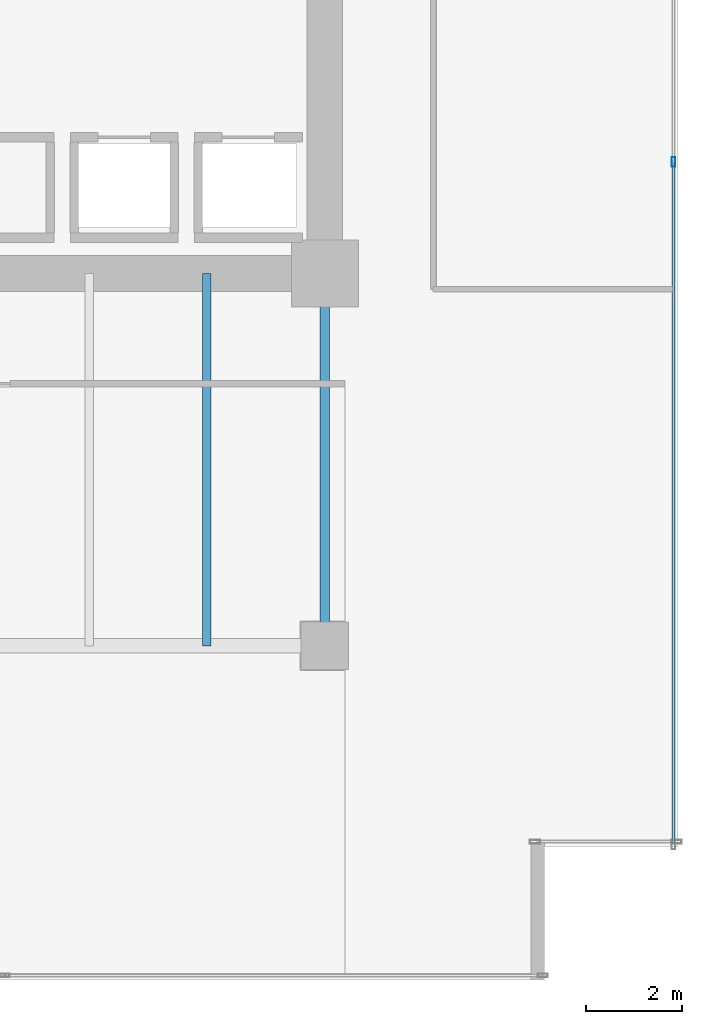
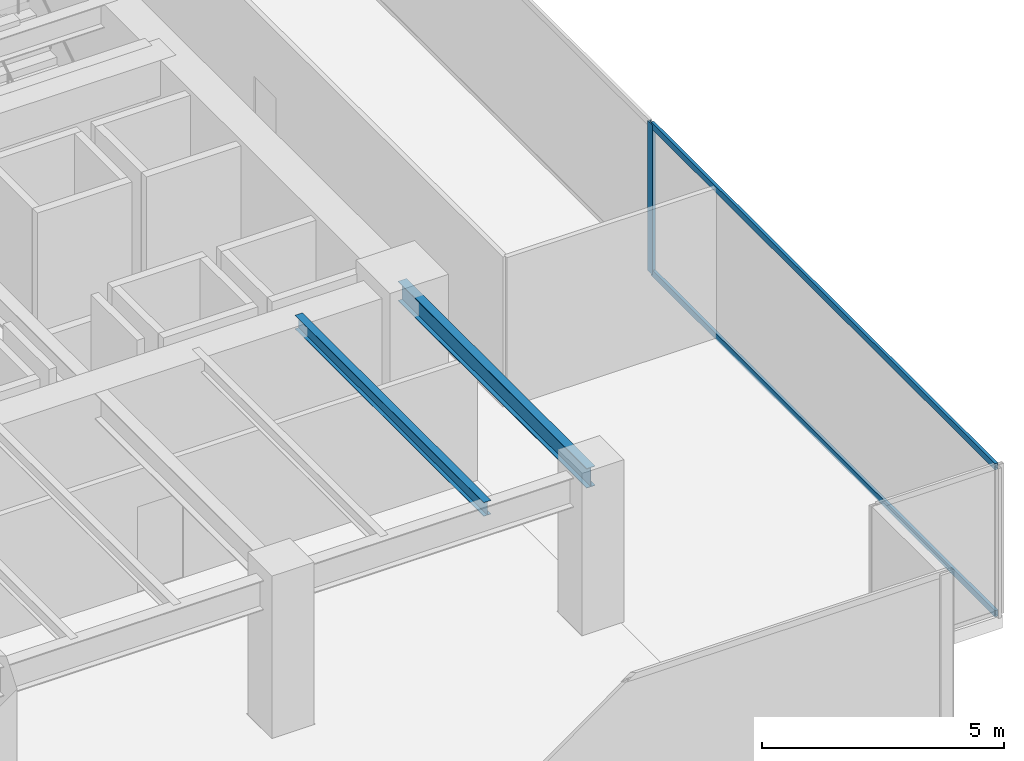
# One storey, part 24 of 37: 3 members, 2 beams, 1 element without a shape of its own.
"""IFC4 building model written with IfcOpenShell, lengths in metres."""

from ifc_helpers import new_model, si_unit, direction, frame, origin, origin_2d, place, context, subcontext, project, spatial, hollow_rectangle, i_section, extrude, source, transform, mapped, material, layer, layer_set, material_profile, profile_set, type_object, type_shapes, element, aggregate, save


model = new_model("IFC4")

# Units and contexts
model_context = context("Model", 3, precision=1e-05, world=origin(), true_north=direction((0.0, 1.0)))
body_context = subcontext(model_context, "Body", "Model", "MODEL_VIEW")
ifc_project = project(units=[si_unit("LENGTHUNIT", "METRE"), si_unit("AREAUNIT", "SQUARE_METRE"), si_unit("VOLUMEUNIT", "CUBIC_METRE"), si_unit("PLANEANGLEUNIT", "RADIAN"), si_unit("MASSUNIT", "GRAM", prefix="KILO")], contexts=[model_context])

# Site, building, storey
site_placement = place(None, origin())
site = spatial("IfcSite", under=ifc_project, at=site_placement, CompositionType="ELEMENT")
building_placement = place(site_placement, origin())
building = spatial("IfcBuilding", under=site, at=building_placement, Name="Haelvirn Gate Laboratories", CompositionType="ELEMENT")
storey_placement = place(building_placement, frame((0.0, 0.0, 78.5)))
storey = spatial("IfcBuildingStorey", under=building, at=storey_placement, Name="L19", CompositionType="ELEMENT", Elevation=78.5)

# Beams
ifc_material_1 = material(Name="Steel SM355", Category="steel")
ifc_material_profile_1 = material_profile(ifc_material_1, i_section(OverallWidth=0.199951171875, OverallDepth=0.5, WebThickness=0.010009765625, FlangeThickness=0.01611328125, at=origin_2d()), Name="H-500x200x10x16")
ifc_profile_set_1 = profile_set([ifc_material_profile_1], Name="Steel SM355")
beam_type_1 = type_object("IfcBeamType", Name="BM-SP-500", PredefinedType="SPANDREL", material=ifc_profile_set_1)
shared_shape_1 = source(origin(), body_context, "Body", "SweptSolid", [
    extrude(i_section(OverallWidth=0.199951171875, OverallDepth=0.5, WebThickness=0.010009765625, FlangeThickness=0.01611328125, at=origin_2d()), origin(), (0.0, 0.0, 1.0), 7.800048828125),
])
type_shapes(beam_type_1, [shared_shape_1])
beam_1_placement = place(storey_placement, frame((67.39990234375, 7.0, 3.530029296875), z_axis=(0.0, 1.0, 0.0), x_axis=(-1.0, 0.0, 0.0)))
element("IfcBeam", 1, at=beam_1_placement, inside=storey, type_object=beam_type_1, Name="L19 Perimeter Spandrel X67.4 (7.0-14.8)", PredefinedType="SPANDREL", context=body_context, shape_type="MappedRepresentation", body=[
    mapped(shared_shape_1, transform((0.0, 0.0, 0.0), scale=1.0)),
])
ifc_material_profile_2 = material_profile(ifc_material_1, i_section(OverallWidth=0.175048828125, OverallDepth=0.35009765625, WebThickness=0.007080078125, FlangeThickness=0.010986328125, at=origin_2d()), Name="H-350x175x7x11")
ifc_profile_set_2 = profile_set([ifc_material_profile_2], Name="Steel SM355")
beam_type_2 = type_object("IfcBeamType", Name="BM-J-350", PredefinedType="JOIST", material=ifc_profile_set_2)
shared_shape_2 = source(origin(), body_context, "Body", "SweptSolid", [
    extrude(i_section(OverallWidth=0.175048828125, OverallDepth=0.35009765625, WebThickness=0.007080078125, FlangeThickness=0.010986328125, at=origin_2d()), origin(), (0.0, 0.0, 1.0), 7.800048828125),
])
type_shapes(beam_type_2, [shared_shape_2])
beam_2_placement = place(storey_placement, frame((64.929931640625, 7.0, 3.60498046875), z_axis=(0.0, 1.0, 0.0), x_axis=(-1.0, 0.0, 0.0)))
element("IfcBeam", 2, at=beam_2_placement, inside=storey, type_object=beam_type_2, Name="L19 Composite Lab Joist South X64.93", PredefinedType="JOIST", context=body_context, shape_type="MappedRepresentation", body=[
    mapped(shared_shape_2, transform((0.0, 0.0, 0.0), scale=1.0)),
])

# Curtain wall, members
ifc_material_2 = material(Name="Anodised bronze unitised aluminium & triple low-E glass", Category="aluminium")
ifc_layer = layer(ifc_material_2, 0.18408203125, Name="CW-SYS-2")
ifc_layer_set = layer_set([ifc_layer], Name="Anodised bronze unitised aluminium & triple low-E glass")
curtain_wall_type = type_object("IfcCurtainWallType", Name="CW-SYS-2", PredefinedType="NOTDEFINED", material=ifc_layer_set)
curtain_wall_placement = place(storey_placement, origin())
curtain_wall = element("IfcCurtainWall", 3, at=curtain_wall_placement, inside=storey, type_object=curtain_wall_type, Name="L19 Unitised Curtain Wall CW-L19-P0-E07", PredefinedType="NOTDEFINED")
ifc_material_3 = material(Name="Extruded aluminium 6063-T6 (anodised bronze)", Category="aluminium")
ifc_material_profile_3 = material_profile(ifc_material_3, hollow_rectangle(XDim=0.074951171875, YDim=0.199951171875, WallThickness=0.0048828125, at=origin_2d()), Name="CWM-200x75x5")
ifc_profile_set_3 = profile_set([ifc_material_profile_3], Name="Extruded aluminium 6063-T6 (anodised bronze)")
member_type_1 = type_object("IfcMemberType", Name="CWM-T200", PredefinedType="MULLION", material=ifc_profile_set_3)
shared_shape_3 = source(origin(), body_context, "Body", "SweptSolid", [
    extrude(hollow_rectangle(XDim=0.074951171875, YDim=0.199951171875, WallThickness=0.0048828125, at=origin_2d()), origin(), (0.0, 0.0, 1.0), 3.780029296875),
])
type_shapes(member_type_1, [shared_shape_3])
member_1_placement = place(storey_placement, frame((74.699951171875, 17.13330078125, 0.0), z_axis=(0.0, 0.0, 1.0), x_axis=(-1.0, 0.0, 0.0)))
member_1 = element("IfcMember", 4, at=member_1_placement, type_object=member_type_1, Name="CW2 mullion 2", PredefinedType="MULLION", context=body_context, shape_type="MappedRepresentation", body=[
    mapped(shared_shape_3, transform((0.0, 0.0, 0.0), scale=1.0)),
])
ifc_material_profile_4 = material_profile(ifc_material_3, hollow_rectangle(XDim=0.070068359375, YDim=0.159912109375, WallThickness=0.0048828125, at=origin_2d()), Name="CWT-160x70x5")
ifc_profile_set_4 = profile_set([ifc_material_profile_4], Name="Extruded aluminium 6063-T6 (anodised bronze)")
member_type_2 = type_object("IfcMemberType", Name="CWT-T160", PredefinedType="USERDEFINED", material=ifc_profile_set_4)
shared_shape_4 = source(origin(), body_context, "Body", "SweptSolid", [
    extrude(hollow_rectangle(XDim=0.070068359375, YDim=0.159912109375, WallThickness=0.0048828125, at=origin_2d()), origin(), (0.0, 0.0, 1.0), 14.220947265625),
])
type_shapes(member_type_2, [shared_shape_4])
member_2_placement = place(storey_placement, frame((74.699951171875, 2.875, 0.034912109375), z_axis=(0.0, 1.0, 0.0), x_axis=(-1.0, 0.0, 0.0)))
member_2 = element("IfcMember", 5, at=member_2_placement, type_object=member_type_2, Name="CW2 transom 1.1", ObjectType="TRANSOM", PredefinedType="USERDEFINED", context=body_context, shape_type="MappedRepresentation", body=[
    mapped(shared_shape_4, transform((0.0, 0.0, 0.0), scale=1.0)),
])
member_3_placement = place(storey_placement, frame((74.699951171875, 2.875, 3.7451171875), z_axis=(0.0, 1.0, 0.0), x_axis=(-1.0, 0.0, 0.0)))
member_3 = element("IfcMember", 6, at=member_3_placement, type_object=member_type_2, Name="CW2 transom 1.2", ObjectType="TRANSOM", PredefinedType="USERDEFINED", context=body_context, shape_type="MappedRepresentation", body=[
    mapped(shared_shape_4, transform((0.0, 0.0, 0.0), scale=1.0)),
])
aggregate(curtain_wall, [member_1, member_2, member_3])

save(model, "model.ifc")
